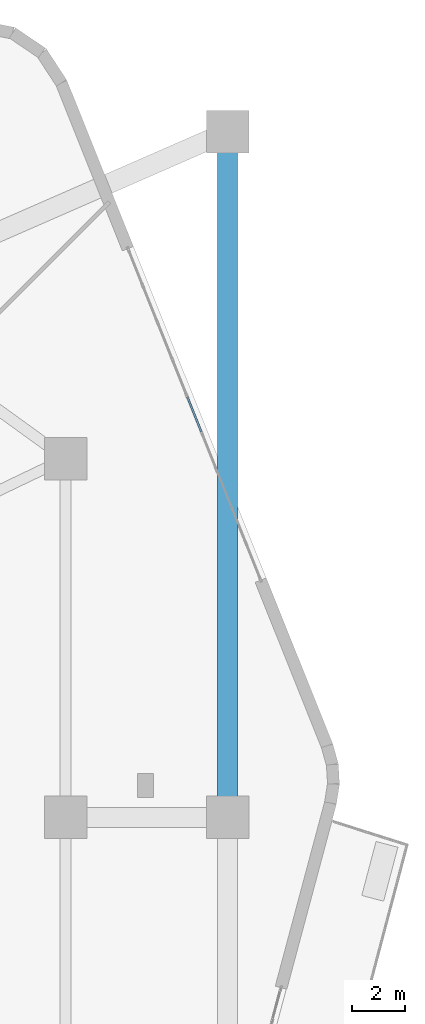
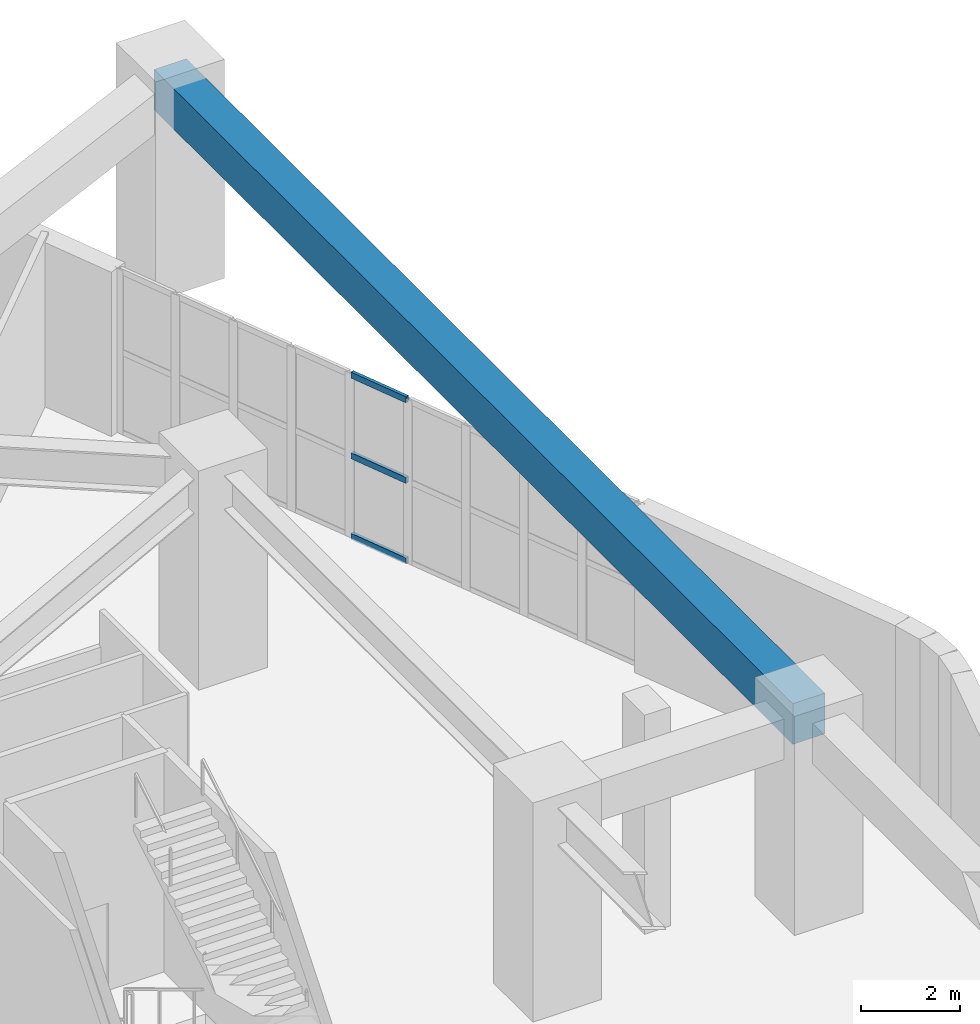
# One storey, part 21 of 34: 3 members, 1 beam, 1 element without a shape of its own.
"""IFC4 building model written with IfcOpenShell, lengths in metres."""

from ifc_helpers import new_model, si_unit, direction, frame, origin, origin_2d, place, context, subcontext, project, spatial, rectangle, hollow_rectangle, extrude, material, layer, layer_set, material_profile, profile_set, type_object, element, aggregate, save


model = new_model("IFC4")

# Units and contexts
model_context = context("Model", 3, precision=1e-05, world=origin(), true_north=direction((0.0, 1.0)))
body_context = subcontext(model_context, "Body", "Model", "MODEL_VIEW")
ifc_project = project(units=[si_unit("LENGTHUNIT", "METRE"), si_unit("AREAUNIT", "SQUARE_METRE"), si_unit("VOLUMEUNIT", "CUBIC_METRE"), si_unit("PLANEANGLEUNIT", "RADIAN"), si_unit("MASSUNIT", "GRAM", prefix="KILO")], contexts=[model_context])

# Site, building, storey
site_placement = place(None, origin())
site = spatial("IfcSite", under=ifc_project, at=site_placement, CompositionType="ELEMENT")
building_placement = place(site_placement, origin())
building = spatial("IfcBuilding", under=site, at=building_placement, Name="Kilnhurst Terrace Hotel", CompositionType="ELEMENT")
storey_placement = place(building_placement, frame((0.0, 0.0, 6.0)))
storey = spatial("IfcBuildingStorey", under=building, at=storey_placement, Name="L01", CompositionType="ELEMENT", Elevation=6.0)

# Curtain wall, members
ifc_material_1 = material(Name="Anodized Aluminium Alloy 6063-T6 and Low-E Glass", Category="aluminium")
ifc_layer = layer(ifc_material_1, 0.219970703125, Name="Anodized Aluminium Alloy 6063-T6 and Low-E Glass")
ifc_layer_set = layer_set([ifc_layer], Name="Anodized Aluminium Alloy 6063-T6 and Low-E Glass")
curtain_wall_type = type_object("IfcCurtainWallType", Name="CW-POD-LOBBY", PredefinedType="NOTDEFINED", material=ifc_layer_set)
curtain_wall_placement = place(storey_placement, origin())
curtain_wall = element("IfcCurtainWall", 1, at=curtain_wall_placement, inside=storey, type_object=curtain_wall_type, Name="L01 Curtain Wall CW-L01-F3-1", PredefinedType="NOTDEFINED")
ifc_material_2 = material(Name="Extruded Aluminium Alloy 6063-T6", Category="aluminium")
ifc_material_profile_1 = material_profile(ifc_material_2, hollow_rectangle(XDim=0.074951171875, YDim=0.14990234375, WallThickness=0.00390625, at=origin_2d()), Name="CWT75X150")
ifc_profile_set_1 = profile_set([ifc_material_profile_1], Name="Extruded Aluminium Alloy 6063-T6")
member_type = type_object("IfcMemberType", Name="MEM-CWT75X150", PredefinedType="USERDEFINED", material=ifc_profile_set_1)
member_1_placement = place(storey_placement, frame((26.60693359375, 14.504150390625, 0.03759765625), z_axis=(-0.371924989829, 0.928262787114, 0.0), x_axis=(-0.928262787114, -0.371924989829, 0.0)))
member_1 = element("IfcMember", 2, at=member_1_placement, type_object=member_type, Name="CWL-1 transom 5.1", ObjectType="TRANSOM", PredefinedType="USERDEFINED", context=body_context, shape_type="SweptSolid", body=[
    extrude(hollow_rectangle(XDim=0.074951171875, YDim=0.14990234375, WallThickness=0.00390625, at=origin_2d()), origin(), (0.0, 0.0, 1.0), 1.41796875),
])
member_2_placement = place(storey_placement, frame((26.60693359375, 14.504150390625, 2.02490234375), z_axis=(-0.371924989829, 0.928262787114, 0.0), x_axis=(-0.928262787114, -0.371924989829, 0.0)))
member_2 = element("IfcMember", 3, at=member_2_placement, type_object=member_type, Name="CWL-1 transom 5.2", ObjectType="TRANSOM", PredefinedType="USERDEFINED", context=body_context, shape_type="SweptSolid", body=[
    extrude(hollow_rectangle(XDim=0.074951171875, YDim=0.14990234375, WallThickness=0.00390625, at=origin_2d()), origin(), (0.0, 0.0, 1.0), 1.41796875),
])
member_3_placement = place(storey_placement, frame((26.60693359375, 14.504150390625, 4.012451171875), z_axis=(-0.371924989829, 0.928262787114, 0.0), x_axis=(-0.928262787114, -0.371924989829, 0.0)))
member_3 = element("IfcMember", 4, at=member_3_placement, type_object=member_type, Name="CWL-1 transom 5.3", ObjectType="TRANSOM", PredefinedType="USERDEFINED", context=body_context, shape_type="SweptSolid", body=[
    extrude(hollow_rectangle(XDim=0.074951171875, YDim=0.14990234375, WallThickness=0.00390625, at=origin_2d()), origin(), (0.0, 0.0, 1.0), 1.41796875),
])
aggregate(curtain_wall, [member_1, member_2, member_3])

# Beam
ifc_material_3 = material(Name="Concrete C50/60", Category="concrete")
ifc_material_profile_2 = material_profile(ifc_material_3, rectangle(XDim=0.75, YDim=1.0, at=origin_2d()), Name="RC750X1000")
ifc_profile_set_2 = profile_set([ifc_material_profile_2], Name="Concrete C50/60")
beam_type = type_object("IfcBeamType", Name="TBM-GAR-750X1000", PredefinedType="T_BEAM", material=ifc_profile_set_2)
beam_placement = place(storey_placement, frame((27.60009765625, 0.0, 4.580078125), z_axis=(0.0, 1.0, 0.0), x_axis=(-1.0, 0.0, 0.0)))
element("IfcBeam", 5, at=beam_placement, inside=storey, type_object=beam_type, Name="L01 Outer Ring Tee Beam 5", PredefinedType="T_BEAM", context=body_context, shape_type="SweptSolid", body=[
    extrude(rectangle(XDim=0.75, YDim=1.0, at=origin_2d()), origin(), (0.0, 0.0, 1.0), 25.800048828125),
])

save(model, "model.ifc")
